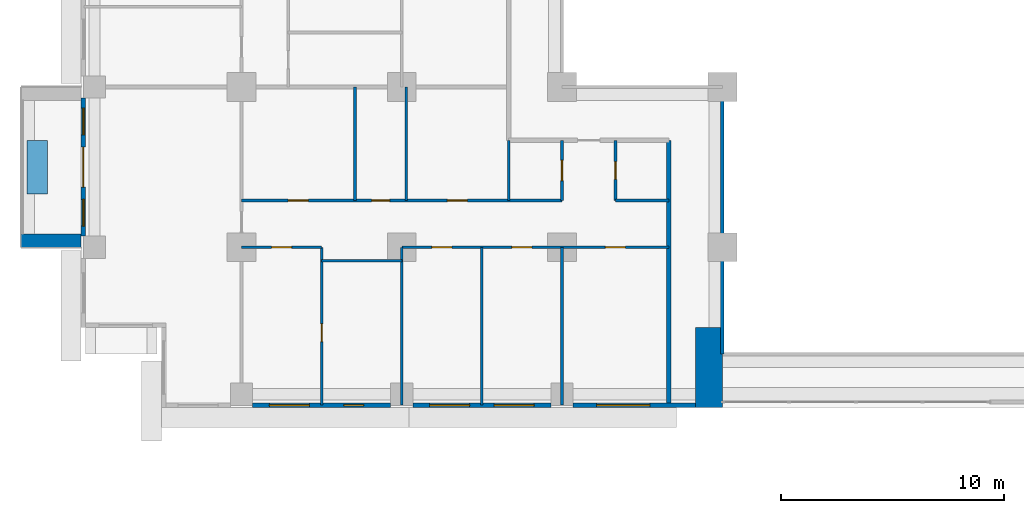
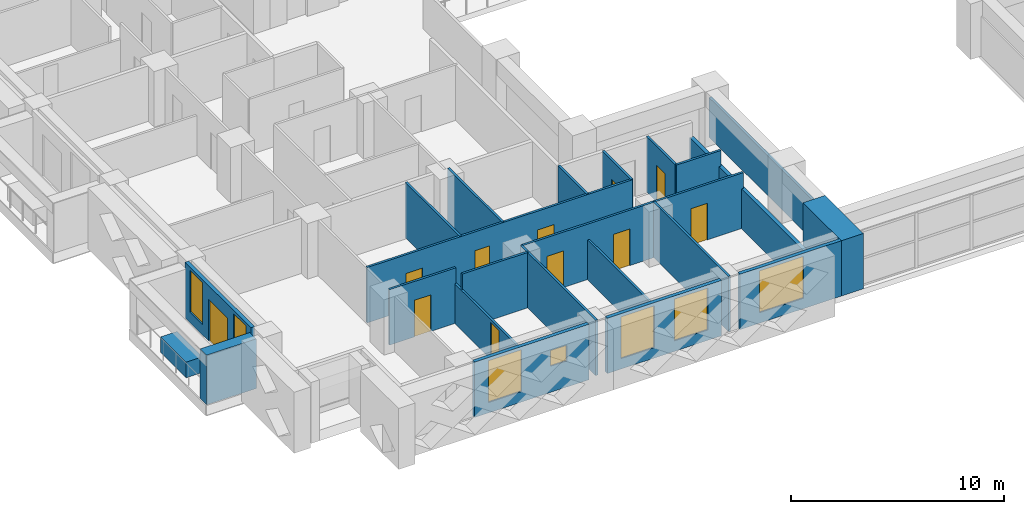
# One storey, part 6 of 16: 23 walls, 11 doors, 7 windows, 18 openings.
"""IFC4 building model written with IfcOpenShell, lengths in metres."""

from ifc_helpers import new_model, si_unit, direction, frame, frame_2d, origin, place, context, subcontext, project, spatial, rectangle, extrude, material, layer, layer_set, type_object, element, fill, save


model = new_model("IFC4")

# Units and contexts
model_context = context("Model", 3, precision=1e-05, world=origin(), true_north=direction((0.0, 1.0)))
body_context = subcontext(model_context, "Body", "Model", "MODEL_VIEW")
ifc_project = project(units=[si_unit("LENGTHUNIT", "METRE"), si_unit("AREAUNIT", "SQUARE_METRE"), si_unit("VOLUMEUNIT", "CUBIC_METRE"), si_unit("PLANEANGLEUNIT", "RADIAN"), si_unit("MASSUNIT", "GRAM", prefix="KILO")], contexts=[model_context])

# Site, building, storey
site_placement = place(None, origin())
site = spatial("IfcSite", under=ifc_project, at=site_placement, CompositionType="ELEMENT")
building_placement = place(site_placement, origin())
building = spatial("IfcBuilding", under=site, at=building_placement, Name="Saffron Iwan Residences", CompositionType="ELEMENT")
storey_placement = place(building_placement, frame((0.0, 0.0, 90.0)))
storey = spatial("IfcBuildingStorey", under=building, at=storey_placement, Name="L23", CompositionType="ELEMENT", Elevation=90.0)

# Walls
ifc_material_1 = material(Name="Fire-rated glazing", Category="glass")
ifc_layer_1 = layer(ifc_material_1, 0.14990234375)
ifc_layer_set_1 = layer_set([ifc_layer_1], Name="Fire-rated glazing")
wall_type_1 = type_object("IfcWallType", Name="Atrium glazed screen 150", PredefinedType="SOLIDWALL", material=ifc_layer_set_1)
wall_1_placement = place(storey_placement, frame((43.199951171875, 36.0, 0.0), z_axis=(0.0, 0.0, 1.0), x_axis=(0.0, 1.0, 0.0)))
element("IfcWall", 1, at=wall_1_placement, inside=storey, type_object=wall_type_1, Name="W-L23-SCREEN-v43.2-36", PredefinedType="SOLIDWALL", context=body_context, shape_type="SweptSolid", body=[
    extrude(rectangle(XDim=12.0, YDim=0.14990234375, at=frame_2d((6.0, 0.0))), origin(), (0.0, 0.0, 1.0), 2.280029296875),
])
ifc_material_2 = material(Name="Concrete C50/60 white painted", Category="concrete")
ifc_layer_2 = layer(ifc_material_2, 0.60009765625)
ifc_layer_set_2 = layer_set([ifc_layer_2], Name="Concrete C50/60 white painted")
wall_type_2 = type_object("IfcWallType", Name="BALCONY FIN 600", PredefinedType="SOLIDWALL", material=ifc_layer_set_2)
wall_2_placement = place(storey_placement, frame((14.39990234375, 41.10009765625, 0.0), z_axis=(0.0, 0.0, 1.0), x_axis=(-1.0, 0.0, 0.0)))
element("IfcWall", 2, at=wall_2_placement, inside=storey, type_object=wall_type_2, Name="Balcony fin L23 F8-1b", PredefinedType="SOLIDWALL", context=body_context, shape_type="SweptSolid", body=[
    extrude(rectangle(XDim=2.699951171875, YDim=0.60009765625, at=frame_2d((1.35009765625, 0.0))), origin(), (0.0, 0.0, 1.0), 2.85009765625),
])
ifc_material_3 = material(Name="Concrete C35/45 white painted", Category="concrete")
ifc_layer_3 = layer(ifc_material_3, 0.14990234375)
ifc_layer_set_3 = layer_set([ifc_layer_3], Name="Concrete C35/45 white painted")
wall_type_3 = type_object("IfcWallType", Name="BALCONY PLANTER", PredefinedType="SOLIDWALL", material=ifc_layer_set_3)
wall_3_placement = place(storey_placement, frame((12.425048828125, 45.60009765625, 0.0), z_axis=(0.0, 0.0, 1.0), x_axis=(0.0, -1.0, 0.0)))
element("IfcWall", 3, at=wall_3_placement, inside=storey, type_object=wall_type_3, Name="PLANTER L23 F8-1", PredefinedType="SOLIDWALL", context=body_context, shape_type="SweptSolid", body=[
    extrude(rectangle(XDim=2.400146484375, YDim=0.89990234375, at=frame_2d((1.2001953125, 0.0))), origin(), (0.0, 0.0, 1.0), 0.89990234375),
])

# Wall, openings, door, windows
ifc_material_4 = material(Name="Concrete C40/50", Category="concrete")
ifc_layer_4 = layer(ifc_material_4, 0.199951171875)
ifc_layer_set_4 = layer_set([ifc_layer_4], Name="Concrete C40/50")
wall_type_4 = type_object("IfcWallType", Name="EXTERNAL WALL 200", PredefinedType="SOLIDWALL", material=ifc_layer_set_4)
wall_4_placement = place(storey_placement, frame((14.5, 47.5, 0.0), z_axis=(0.0, 0.0, 1.0), x_axis=(0.0, -1.0, 0.0)))
wall_4 = element("IfcWall", 4, at=wall_4_placement, inside=storey, type_object=wall_type_4, Name="External wall L23 F8.4", PredefinedType="SOLIDWALL", context=body_context, shape_type="SweptSolid", body=[
    extrude(rectangle(XDim=6.199951171875, YDim=0.199951171875, at=frame_2d((3.10009765625, 0.0))), origin(), (0.0, 0.0, 1.0), 3.179931640625),
])
opening_1_placement = place(wall_4_placement, frame((2.199951171875, 0.0, 0.0)))
opening_1 = element("IfcOpeningElement", 5, at=opening_1_placement, cuts=wall_4, Name="Opening BD1", PredefinedType="OPENING", context=body_context, shape_type="SweptSolid", body=[
    extrude(rectangle(XDim=1.800048828125, YDim=2.39990234375, at=frame_2d((0.89990234375, 1.199951171875))), frame((0.0, 0.10986328125, 0.0), z_axis=(0.0, -1.0, 0.0), x_axis=(1.0, 0.0, 0.0)), (0.0, 0.0, 1.0), 0.219970703125),
])
opening_2_placement = place(wall_4_placement, frame((0.449951171875, 0.0, 0.60009765625)))
opening_2 = element("IfcOpeningElement", 6, at=opening_2_placement, cuts=wall_4, Name="Opening W3", PredefinedType="OPENING", context=body_context, shape_type="SweptSolid", body=[
    extrude(rectangle(XDim=1.199951171875, YDim=2.39990234375, at=frame_2d((0.60009765625, 1.199951171875))), frame((0.0, 0.10986328125, 0.0), z_axis=(0.0, -1.0, 0.0), x_axis=(1.0, 0.0, 0.0)), (0.0, 0.0, 1.0), 0.219970703125),
])
opening_3_placement = place(wall_4_placement, frame((4.550048828125, 0.0, 0.60009765625)))
opening_3 = element("IfcOpeningElement", 7, at=opening_3_placement, cuts=wall_4, Name="Opening W3", PredefinedType="OPENING", context=body_context, shape_type="SweptSolid", body=[
    extrude(rectangle(XDim=1.199951171875, YDim=2.39990234375, at=frame_2d((0.60009765625, 1.199951171875))), frame((0.0, 0.10986328125, 0.0), z_axis=(0.0, -1.0, 0.0), x_axis=(1.0, 0.0, 0.0)), (0.0, 0.0, 1.0), 0.219970703125),
])
ifc_material_5 = material(Name="Clear glass, laminated double glazed", Category="glass")
door_type_1 = type_object("IfcDoorType", Name="BALCONY DOOR 1800 x 2400", OperationType="DOUBLE_DOOR_SLIDING", PredefinedType="DOOR", material=ifc_material_5)
door_1_placement = place(opening_1_placement, origin())
door_1 = element("IfcDoor", 8, at=door_1_placement, inside=storey, type_object=door_type_1, Name="Balcony door L23 F8.0", OperationType="DOUBLE_DOOR_SLIDING", OverallHeight=2.39990234375, OverallWidth=1.800048828125, PredefinedType="DOOR", context=body_context, shape_type="SweptSolid", body=[
    extrude(rectangle(XDim=1.800048828125, YDim=2.39990234375, at=frame_2d((0.89990234375, 1.199951171875))), frame((0.0, 0.02490234375, 0.0), z_axis=(0.0, -1.0, 0.0), x_axis=(1.0, 0.0, 0.0)), (0.0, 0.0, 1.0), 0.050048828125),
])
fill(opening_1, door_1)
window_type_1 = type_object("IfcWindowType", Name="WINDOW 1200 x 2400", PartitioningType="SINGLE_PANEL", PredefinedType="WINDOW", material=ifc_material_5)
window_1_placement = place(opening_2_placement, origin())
window_1 = element("IfcWindow", 9, at=window_1_placement, inside=storey, type_object=window_type_1, Name="Window L23 F8.1", OverallHeight=2.39990234375, OverallWidth=1.199951171875, PartitioningType="SINGLE_PANEL", PredefinedType="WINDOW", context=body_context, shape_type="SweptSolid", body=[
    extrude(rectangle(XDim=1.199951171875, YDim=2.39990234375, at=frame_2d((0.60009765625, 1.199951171875))), frame((0.0, 0.030029296875, 0.0), z_axis=(0.0, -1.0, 0.0), x_axis=(1.0, 0.0, 0.0)), (0.0, 0.0, 1.0), 0.06005859375),
])
fill(opening_2, window_1)
window_2_placement = place(opening_3_placement, origin())
window_2 = element("IfcWindow", 10, at=window_2_placement, inside=storey, type_object=window_type_1, Name="Window L23 F8.2", OverallHeight=2.39990234375, OverallWidth=1.199951171875, PartitioningType="SINGLE_PANEL", PredefinedType="WINDOW", context=body_context, shape_type="SweptSolid", body=[
    extrude(rectangle(XDim=1.199951171875, YDim=2.39990234375, at=frame_2d((0.60009765625, 1.199951171875))), frame((0.0, 0.030029296875, 0.0), z_axis=(0.0, -1.0, 0.0), x_axis=(1.0, 0.0, 0.0)), (0.0, 0.0, 1.0), 0.06005859375),
])
fill(opening_3, window_2)

# Wall, openings, windows
wall_5_placement = place(storey_placement, frame((22.10009765625, 33.699951171875, 0.0), z_axis=(0.0, 0.0, 1.0), x_axis=(1.0, 0.0, 0.0)))
wall_5 = element("IfcWall", 11, at=wall_5_placement, inside=storey, type_object=wall_type_4, Name="External wall L23 F11.1", PredefinedType="SOLIDWALL", context=body_context, shape_type="SweptSolid", body=[
    extrude(rectangle(XDim=6.199951171875, YDim=0.199951171875, at=frame_2d((3.10009765625, 0.0))), origin(), (0.0, 0.0, 1.0), 3.179931640625),
])
opening_4_placement = place(wall_5_placement, frame((0.75, 0.0, 0.60009765625)))
opening_4 = element("IfcOpeningElement", 12, at=opening_4_placement, cuts=wall_5, Name="Opening W8", PredefinedType="OPENING", context=body_context, shape_type="SweptSolid", body=[
    extrude(rectangle(XDim=1.800048828125, YDim=2.39990234375, at=frame_2d((0.89990234375, 1.199951171875))), frame((0.0, 0.10986328125, 0.0), z_axis=(0.0, -1.0, 0.0), x_axis=(1.0, 0.0, 0.0)), (0.0, 0.0, 1.0), 0.219970703125),
])
opening_5_placement = place(wall_5_placement, frame((4.10009765625, 0.0, 1.5)))
opening_5 = element("IfcOpeningElement", 13, at=opening_5_placement, cuts=wall_5, Name="Opening W6", PredefinedType="OPENING", context=body_context, shape_type="SweptSolid", body=[
    extrude(rectangle(XDim=0.89990234375, YDim=0.89990234375, at=frame_2d((0.449951171875, 0.449951171875))), frame((0.0, 0.10986328125, 0.0), z_axis=(0.0, -1.0, 0.0), x_axis=(1.0, 0.0, 0.0)), (0.0, 0.0, 1.0), 0.219970703125),
])
window_type_2 = type_object("IfcWindowType", Name="WINDOW 1800 x 2400", PartitioningType="DOUBLE_PANEL_VERTICAL", PredefinedType="WINDOW", material=ifc_material_5)
window_3_placement = place(opening_4_placement, origin())
window_3 = element("IfcWindow", 14, at=window_3_placement, inside=storey, type_object=window_type_2, Name="Window L23 F11.0", OverallHeight=2.39990234375, OverallWidth=1.800048828125, PartitioningType="DOUBLE_PANEL_VERTICAL", PredefinedType="WINDOW", context=body_context, shape_type="SweptSolid", body=[
    extrude(rectangle(XDim=1.800048828125, YDim=2.39990234375, at=frame_2d((0.89990234375, 1.199951171875))), frame((0.0, 0.030029296875, 0.0), z_axis=(0.0, -1.0, 0.0), x_axis=(1.0, 0.0, 0.0)), (0.0, 0.0, 1.0), 0.06005859375),
])
fill(opening_4, window_3)
window_type_3 = type_object("IfcWindowType", Name="WINDOW 900 x 900 BATH", PartitioningType="SINGLE_PANEL", PredefinedType="WINDOW", material=ifc_material_5)
window_4_placement = place(opening_5_placement, origin())
window_4 = element("IfcWindow", 15, at=window_4_placement, inside=storey, type_object=window_type_3, Name="Window L23 F11.1", OverallHeight=0.89990234375, OverallWidth=0.89990234375, PartitioningType="SINGLE_PANEL", PredefinedType="WINDOW", context=body_context, shape_type="SweptSolid", body=[
    extrude(rectangle(XDim=0.89990234375, YDim=0.89990234375, at=frame_2d((0.449951171875, 0.449951171875))), frame((0.0, 0.030029296875, 0.0), z_axis=(0.0, -1.0, 0.0), x_axis=(1.0, 0.0, 0.0)), (0.0, 0.0, 1.0), 0.06005859375),
])
fill(opening_5, window_4)

wall_6_placement = place(storey_placement, frame((29.300048828125, 33.699951171875, 0.0), z_axis=(0.0, 0.0, 1.0), x_axis=(1.0, 0.0, 0.0)))
wall_6 = element("IfcWall", 16, at=wall_6_placement, inside=storey, type_object=wall_type_4, Name="External wall L23 F11.2", PredefinedType="SOLIDWALL", context=body_context, shape_type="SweptSolid", body=[
    extrude(rectangle(XDim=6.199951171875, YDim=0.199951171875, at=frame_2d((3.10009765625, 0.0))), origin(), (0.0, 0.0, 1.0), 3.179931640625),
])
opening_6_placement = place(wall_6_placement, frame((0.75, 0.0, 0.60009765625)))
opening_6 = element("IfcOpeningElement", 17, at=opening_6_placement, cuts=wall_6, Name="Opening W8", PredefinedType="OPENING", context=body_context, shape_type="SweptSolid", body=[
    extrude(rectangle(XDim=1.800048828125, YDim=2.39990234375, at=frame_2d((0.89990234375, 1.199951171875))), frame((0.0, 0.10986328125, 0.0), z_axis=(0.0, -1.0, 0.0), x_axis=(1.0, 0.0, 0.0)), (0.0, 0.0, 1.0), 0.219970703125),
])
opening_7_placement = place(wall_6_placement, frame((3.64990234375, 0.0, 0.60009765625)))
opening_7 = element("IfcOpeningElement", 18, at=opening_7_placement, cuts=wall_6, Name="Opening W8", PredefinedType="OPENING", context=body_context, shape_type="SweptSolid", body=[
    extrude(rectangle(XDim=1.800048828125, YDim=2.39990234375, at=frame_2d((0.89990234375, 1.199951171875))), frame((0.0, 0.10986328125, 0.0), z_axis=(0.0, -1.0, 0.0), x_axis=(1.0, 0.0, 0.0)), (0.0, 0.0, 1.0), 0.219970703125),
])
window_5_placement = place(opening_6_placement, origin())
window_5 = element("IfcWindow", 19, at=window_5_placement, inside=storey, type_object=window_type_2, Name="Window L23 F11.0", OverallHeight=2.39990234375, OverallWidth=1.800048828125, PartitioningType="DOUBLE_PANEL_VERTICAL", PredefinedType="WINDOW", context=body_context, shape_type="SweptSolid", body=[
    extrude(rectangle(XDim=1.800048828125, YDim=2.39990234375, at=frame_2d((0.89990234375, 1.199951171875))), frame((0.0, 0.030029296875, 0.0), z_axis=(0.0, -1.0, 0.0), x_axis=(1.0, 0.0, 0.0)), (0.0, 0.0, 1.0), 0.06005859375),
])
fill(opening_6, window_5)
window_6_placement = place(opening_7_placement, origin())
window_6 = element("IfcWindow", 20, at=window_6_placement, inside=storey, type_object=window_type_2, Name="Window L23 F11.1", OverallHeight=2.39990234375, OverallWidth=1.800048828125, PartitioningType="DOUBLE_PANEL_VERTICAL", PredefinedType="WINDOW", context=body_context, shape_type="SweptSolid", body=[
    extrude(rectangle(XDim=1.800048828125, YDim=2.39990234375, at=frame_2d((0.89990234375, 1.199951171875))), frame((0.0, 0.030029296875, 0.0), z_axis=(0.0, -1.0, 0.0), x_axis=(1.0, 0.0, 0.0)), (0.0, 0.0, 1.0), 0.06005859375),
])
fill(opening_7, window_6)

# Wall, opening, window
wall_7_placement = place(storey_placement, frame((36.5, 33.699951171875, 0.0), z_axis=(0.0, 0.0, 1.0), x_axis=(1.0, 0.0, 0.0)))
wall_7 = element("IfcWall", 21, at=wall_7_placement, inside=storey, type_object=wall_type_4, Name="External wall L23 F11.3", PredefinedType="SOLIDWALL", context=body_context, shape_type="SweptSolid", body=[
    extrude(rectangle(XDim=5.5, YDim=0.199951171875, at=frame_2d((2.75, 0.0))), origin(), (0.0, 0.0, 1.0), 3.179931640625),
])
opening_8_placement = place(wall_7_placement, frame((1.050048828125, 0.0, 0.60009765625)))
opening_8 = element("IfcOpeningElement", 22, at=opening_8_placement, cuts=wall_7, Name="Opening W1", PredefinedType="OPENING", context=body_context, shape_type="SweptSolid", body=[
    extrude(rectangle(XDim=2.39990234375, YDim=2.39990234375, at=frame_2d((1.199951171875, 1.199951171875))), frame((0.0, 0.10986328125, 0.0), z_axis=(0.0, -1.0, 0.0), x_axis=(1.0, 0.0, 0.0)), (0.0, 0.0, 1.0), 0.219970703125),
])
window_type_4 = type_object("IfcWindowType", Name="WINDOW 2400 x 2400", PartitioningType="DOUBLE_PANEL_VERTICAL", PredefinedType="WINDOW", material=ifc_material_5)
window_7_placement = place(opening_8_placement, origin())
window_7 = element("IfcWindow", 23, at=window_7_placement, inside=storey, type_object=window_type_4, Name="Window L23 F11.0", OverallHeight=2.39990234375, OverallWidth=2.39990234375, PartitioningType="DOUBLE_PANEL_VERTICAL", PredefinedType="WINDOW", context=body_context, shape_type="SweptSolid", body=[
    extrude(rectangle(XDim=2.39990234375, YDim=2.39990234375, at=frame_2d((1.199951171875, 1.199951171875))), frame((0.0, 0.030029296875, 0.0), z_axis=(0.0, -1.0, 0.0), x_axis=(1.0, 0.0, 0.0)), (0.0, 0.0, 1.0), 0.06005859375),
])
fill(opening_8, window_7)

# Wall
ifc_material_6 = material(Name="Gypsum board partition")
ifc_layer_5 = layer(ifc_material_6, 0.1201171875)
ifc_layer_set_5 = layer_set([ifc_layer_5], Name="Gypsum board partition")
wall_type_5 = type_object("IfcWallType", Name="Flat partition 120", PredefinedType="PARTITIONING", material=ifc_layer_set_5)
wall_8_placement = place(storey_placement, frame((25.199951171875, 40.199951171875, 0.0), z_axis=(0.0, 0.0, 1.0), x_axis=(1.0, 0.0, 0.0)))
element("IfcWall", 24, at=wall_8_placement, inside=storey, type_object=wall_type_5, Name="W-L23-PART-h40.2-25.2", PredefinedType="PARTITIONING", context=body_context, shape_type="SweptSolid", body=[
    extrude(rectangle(XDim=3.60009765625, YDim=0.1201171875, at=frame_2d((1.800048828125, 0.0))), origin(), (0.0, 0.0, 1.0), 3.179931640625),
])

# Wall, opening, door
wall_9_placement = place(storey_placement, frame((21.60009765625, 40.800048828125, 0.0), z_axis=(0.0, 0.0, 1.0), x_axis=(1.0, 0.0, 0.0)))
wall_9 = element("IfcWall", 25, at=wall_9_placement, inside=storey, type_object=wall_type_5, Name="W-L23-PART-h40.8-21.6", PredefinedType="PARTITIONING", context=body_context, shape_type="SweptSolid", body=[
    extrude(rectangle(XDim=3.599853515625, YDim=0.1201171875, at=frame_2d((1.7998046875, 0.0))), origin(), (0.0, 0.0, 1.0), 3.179931640625),
])
opening_9_placement = place(wall_9_placement, frame((1.35009765625, 0.0, 0.0)))
opening_9 = element("IfcOpeningElement", 26, at=opening_9_placement, cuts=wall_9, Name="Opening FD2", PredefinedType="OPENING", context=body_context, shape_type="SweptSolid", body=[
    extrude(rectangle(XDim=0.89990234375, YDim=2.10009765625, at=frame_2d((0.449951171875, 1.050048828125))), frame((0.0, 0.070068359375, 0.0), z_axis=(0.0, -1.0, 0.0), x_axis=(1.0, 0.0, 0.0)), (0.0, 0.0, 1.0), 0.14013671875),
])
ifc_material_7 = material(Name="Timber door", Category="wood")
door_type_2 = type_object("IfcDoorType", Name="Flat door 900", OperationType="NOTDEFINED", PredefinedType="DOOR", material=ifc_material_7)
door_2_placement = place(opening_9_placement, origin())
door_2 = element("IfcDoor", 27, at=door_2_placement, inside=storey, type_object=door_type_2, Name="Door L23-003", OperationType="SINGLE_SWING_LEFT", OverallHeight=2.10009765625, OverallWidth=0.89990234375, PredefinedType="DOOR", context=body_context, shape_type="SweptSolid", body=[
    extrude(rectangle(XDim=0.89990234375, YDim=2.10009765625, at=frame_2d((0.449951171875, 1.050048828125))), frame((0.0, 0.02490234375, 0.0), z_axis=(0.0, -1.0, 0.0), x_axis=(1.0, 0.0, 0.0)), (0.0, 0.0, 1.0), 0.050048828125),
])
fill(opening_9, door_2)

# Wall, openings, doors
wall_10_placement = place(storey_placement, frame((28.800048828125, 40.800048828125, 0.0), z_axis=(0.0, 0.0, 1.0), x_axis=(1.0, 0.0, 0.0)))
wall_10 = element("IfcWall", 28, at=wall_10_placement, inside=storey, type_object=wall_type_5, Name="W-L23-PART-h40.8-28.8", PredefinedType="PARTITIONING", context=body_context, shape_type="SweptSolid", body=[
    extrude(rectangle(XDim=12.0, YDim=0.1201171875, at=frame_2d((6.0, 0.0))), origin(), (0.0, 0.0, 1.0), 3.179931640625),
])
opening_10_placement = place(wall_10_placement, frame((1.35009765625, 0.0, 0.0)))
opening_10 = element("IfcOpeningElement", 29, at=opening_10_placement, cuts=wall_10, Name="Opening FD2", PredefinedType="OPENING", context=body_context, shape_type="SweptSolid", body=[
    extrude(rectangle(XDim=0.89990234375, YDim=2.10009765625, at=frame_2d((0.449951171875, 1.050048828125))), frame((0.0, 0.070068359375, 0.0), z_axis=(0.0, -1.0, 0.0), x_axis=(1.0, 0.0, 0.0)), (0.0, 0.0, 1.0), 0.14013671875),
])
opening_11_placement = place(wall_10_placement, frame((4.949951171875, 0.0, 0.0)))
opening_11 = element("IfcOpeningElement", 30, at=opening_11_placement, cuts=wall_10, Name="Opening FD2", PredefinedType="OPENING", context=body_context, shape_type="SweptSolid", body=[
    extrude(rectangle(XDim=0.89990234375, YDim=2.10009765625, at=frame_2d((0.449951171875, 1.050048828125))), frame((0.0, 0.070068359375, 0.0), z_axis=(0.0, -1.0, 0.0), x_axis=(1.0, 0.0, 0.0)), (0.0, 0.0, 1.0), 0.14013671875),
])
opening_12_placement = place(wall_10_placement, frame((9.14990234375, 0.0, 0.0)))
opening_12 = element("IfcOpeningElement", 31, at=opening_12_placement, cuts=wall_10, Name="Opening FD2", PredefinedType="OPENING", context=body_context, shape_type="SweptSolid", body=[
    extrude(rectangle(XDim=0.89990234375, YDim=2.10009765625, at=frame_2d((0.449951171875, 1.050048828125))), frame((0.0, 0.070068359375, 0.0), z_axis=(0.0, -1.0, 0.0), x_axis=(1.0, 0.0, 0.0)), (0.0, 0.0, 1.0), 0.14013671875),
])
door_3_placement = place(opening_10_placement, origin())
door_3 = element("IfcDoor", 32, at=door_3_placement, inside=storey, type_object=door_type_2, Name="Door L23-005", OperationType="SINGLE_SWING_RIGHT", OverallHeight=2.10009765625, OverallWidth=0.89990234375, PredefinedType="DOOR", context=body_context, shape_type="SweptSolid", body=[
    extrude(rectangle(XDim=0.89990234375, YDim=2.10009765625, at=frame_2d((0.449951171875, 1.050048828125))), frame((0.0, 0.02490234375, 0.0), z_axis=(0.0, -1.0, 0.0), x_axis=(1.0, 0.0, 0.0)), (0.0, 0.0, 1.0), 0.050048828125),
])
fill(opening_10, door_3)
door_4_placement = place(opening_11_placement, origin())
door_4 = element("IfcDoor", 33, at=door_4_placement, inside=storey, type_object=door_type_2, Name="Door L23-006", OperationType="SINGLE_SWING_LEFT", OverallHeight=2.10009765625, OverallWidth=0.89990234375, PredefinedType="DOOR", context=body_context, shape_type="SweptSolid", body=[
    extrude(rectangle(XDim=0.89990234375, YDim=2.10009765625, at=frame_2d((0.449951171875, 1.050048828125))), frame((0.0, 0.02490234375, 0.0), z_axis=(0.0, -1.0, 0.0), x_axis=(1.0, 0.0, 0.0)), (0.0, 0.0, 1.0), 0.050048828125),
])
fill(opening_11, door_4)
door_5_placement = place(opening_12_placement, origin())
door_5 = element("IfcDoor", 34, at=door_5_placement, inside=storey, type_object=door_type_2, Name="Door L23-007", OperationType="SINGLE_SWING_LEFT", OverallHeight=2.10009765625, OverallWidth=0.89990234375, PredefinedType="DOOR", context=body_context, shape_type="SweptSolid", body=[
    extrude(rectangle(XDim=0.89990234375, YDim=2.10009765625, at=frame_2d((0.449951171875, 1.050048828125))), frame((0.0, 0.02490234375, 0.0), z_axis=(0.0, -1.0, 0.0), x_axis=(1.0, 0.0, 0.0)), (0.0, 0.0, 1.0), 0.050048828125),
])
fill(opening_12, door_5)

wall_11_placement = place(storey_placement, frame((21.60009765625, 42.89990234375, 0.0), z_axis=(0.0, 0.0, 1.0), x_axis=(1.0, 0.0, 0.0)))
wall_11 = element("IfcWall", 35, at=wall_11_placement, inside=storey, type_object=wall_type_5, Name="W-L23-PART-h42.9-21.6", PredefinedType="PARTITIONING", context=body_context, shape_type="SweptSolid", body=[
    extrude(rectangle(XDim=14.39990234375, YDim=0.1201171875, at=frame_2d((7.199951171875, 0.0))), origin(), (0.0, 0.0, 1.0), 3.179931640625),
])
opening_13_placement = place(wall_11_placement, frame((2.10009765625, 0.0, 0.0)))
opening_13 = element("IfcOpeningElement", 36, at=opening_13_placement, cuts=wall_11, Name="Opening FD2", PredefinedType="OPENING", context=body_context, shape_type="SweptSolid", body=[
    extrude(rectangle(XDim=0.89990234375, YDim=2.10009765625, at=frame_2d((0.449951171875, 1.050048828125))), frame((0.0, 0.070068359375, 0.0), z_axis=(0.0, -1.0, 0.0), x_axis=(1.0, 0.0, 0.0)), (0.0, 0.0, 1.0), 0.14013671875),
])
opening_14_placement = place(wall_11_placement, frame((5.85009765625, 0.0, 0.0)))
opening_14 = element("IfcOpeningElement", 37, at=opening_14_placement, cuts=wall_11, Name="Opening FD3", PredefinedType="OPENING", context=body_context, shape_type="SweptSolid", body=[
    extrude(rectangle(XDim=0.800048828125, YDim=2.10009765625, at=frame_2d((0.39990234375, 1.050048828125))), frame((0.0, 0.070068359375, 0.0), z_axis=(0.0, -1.0, 0.0), x_axis=(1.0, 0.0, 0.0)), (0.0, 0.0, 1.0), 0.14013671875),
])
opening_15_placement = place(wall_11_placement, frame((9.25, 0.0, 0.0)))
opening_15 = element("IfcOpeningElement", 38, at=opening_15_placement, cuts=wall_11, Name="Opening FD2", PredefinedType="OPENING", context=body_context, shape_type="SweptSolid", body=[
    extrude(rectangle(XDim=0.89990234375, YDim=2.10009765625, at=frame_2d((0.449951171875, 1.050048828125))), frame((0.0, 0.070068359375, 0.0), z_axis=(0.0, -1.0, 0.0), x_axis=(1.0, 0.0, 0.0)), (0.0, 0.0, 1.0), 0.14013671875),
])
door_type_3 = type_object("IfcDoorType", Name="Bathroom door 800", OperationType="NOTDEFINED", PredefinedType="DOOR", material=ifc_material_7)
door_6_placement = place(opening_14_placement, origin())
door_6 = element("IfcDoor", 39, at=door_6_placement, inside=storey, type_object=door_type_3, Name="Door L23-009", OperationType="SINGLE_SWING_LEFT", OverallHeight=2.10009765625, OverallWidth=0.800048828125, PredefinedType="DOOR", context=body_context, shape_type="SweptSolid", body=[
    extrude(rectangle(XDim=0.800048828125, YDim=2.10009765625, at=frame_2d((0.39990234375, 1.050048828125))), frame((0.0, 0.02490234375, 0.0), z_axis=(0.0, -1.0, 0.0), x_axis=(1.0, 0.0, 0.0)), (0.0, 0.0, 1.0), 0.050048828125),
])
fill(opening_14, door_6)
door_7_placement = place(opening_13_placement, origin())
door_7 = element("IfcDoor", 40, at=door_7_placement, inside=storey, type_object=door_type_2, Name="Door L23-008", OperationType="SINGLE_SWING_RIGHT", OverallHeight=2.10009765625, OverallWidth=0.89990234375, PredefinedType="DOOR", context=body_context, shape_type="SweptSolid", body=[
    extrude(rectangle(XDim=0.89990234375, YDim=2.10009765625, at=frame_2d((0.449951171875, 1.050048828125))), frame((0.0, 0.02490234375, 0.0), z_axis=(0.0, -1.0, 0.0), x_axis=(1.0, 0.0, 0.0)), (0.0, 0.0, 1.0), 0.050048828125),
])
fill(opening_13, door_7)
door_8_placement = place(opening_15_placement, origin())
door_8 = element("IfcDoor", 41, at=door_8_placement, inside=storey, type_object=door_type_2, Name="Door L23-010", OperationType="SINGLE_SWING_LEFT", OverallHeight=2.10009765625, OverallWidth=0.89990234375, PredefinedType="DOOR", context=body_context, shape_type="SweptSolid", body=[
    extrude(rectangle(XDim=0.89990234375, YDim=2.10009765625, at=frame_2d((0.449951171875, 1.050048828125))), frame((0.0, 0.02490234375, 0.0), z_axis=(0.0, -1.0, 0.0), x_axis=(1.0, 0.0, 0.0)), (0.0, 0.0, 1.0), 0.050048828125),
])
fill(opening_15, door_8)

# Wall
wall_12_placement = place(storey_placement, frame((38.39990234375, 42.89990234375, 0.0), z_axis=(0.0, 0.0, 1.0), x_axis=(1.0, 0.0, 0.0)))
element("IfcWall", 42, at=wall_12_placement, inside=storey, type_object=wall_type_5, Name="W-L23-PART-h42.9-38.4", PredefinedType="PARTITIONING", context=body_context, shape_type="SweptSolid", body=[
    extrude(rectangle(XDim=2.400146484375, YDim=0.1201171875, at=frame_2d((1.2001953125, 0.0))), origin(), (0.0, 0.0, 1.0), 3.179931640625),
])

# Wall, opening, door
wall_13_placement = place(storey_placement, frame((25.199951171875, 33.72509765625, 0.0), z_axis=(0.0, 0.0, 1.0), x_axis=(0.0, 1.0, 0.0)))
wall_13 = element("IfcWall", 43, at=wall_13_placement, inside=storey, type_object=wall_type_5, Name="W-L23-PART-v25.2-33.725", PredefinedType="PARTITIONING", context=body_context, shape_type="SweptSolid", body=[
    extrude(rectangle(XDim=7.074951171875, YDim=0.1201171875, at=frame_2d((3.53759765625, 0.0))), origin(), (0.0, 0.0, 1.0), 2.280029296875),
])
opening_16_placement = place(wall_13_placement, frame((2.83740234375, 0.0, 0.0)))
opening_16 = element("IfcOpeningElement", 44, at=opening_16_placement, cuts=wall_13, Name="Opening FD3", PredefinedType="OPENING", context=body_context, shape_type="SweptSolid", body=[
    extrude(rectangle(XDim=0.800048828125, YDim=2.10009765625, at=frame_2d((0.39990234375, 1.050048828125))), frame((0.0, 0.070068359375, 0.0), z_axis=(0.0, -1.0, 0.0), x_axis=(1.0, 0.0, 0.0)), (0.0, 0.0, 1.0), 0.14013671875),
])
door_9_placement = place(opening_16_placement, origin())
door_9 = element("IfcDoor", 45, at=door_9_placement, inside=storey, type_object=door_type_3, Name="Door L23-004", OperationType="SINGLE_SWING_LEFT", OverallHeight=2.10009765625, OverallWidth=0.800048828125, PredefinedType="DOOR", context=body_context, shape_type="SweptSolid", body=[
    extrude(rectangle(XDim=0.800048828125, YDim=2.10009765625, at=frame_2d((0.39990234375, 1.050048828125))), frame((0.0, 0.02490234375, 0.0), z_axis=(0.0, -1.0, 0.0), x_axis=(1.0, 0.0, 0.0)), (0.0, 0.0, 1.0), 0.050048828125),
])
fill(opening_16, door_9)

# Walls
wall_14_placement = place(storey_placement, frame((26.699951171875, 42.89990234375, 0.0), z_axis=(0.0, 0.0, 1.0), x_axis=(0.0, 1.0, 0.0)))
element("IfcWall", 46, at=wall_14_placement, inside=storey, type_object=wall_type_5, Name="W-L23-PART-v26.7-42.9", PredefinedType="PARTITIONING", context=body_context, shape_type="SweptSolid", body=[
    extrude(rectangle(XDim=5.10009765625, YDim=0.1201171875, at=frame_2d((2.550048828125, 0.0))), origin(), (0.0, 0.0, 1.0), 3.179931640625),
])
wall_15_placement = place(storey_placement, frame((28.800048828125, 33.72509765625, 0.0), z_axis=(0.0, 0.0, 1.0), x_axis=(0.0, 1.0, 0.0)))
element("IfcWall", 47, at=wall_15_placement, inside=storey, type_object=wall_type_5, Name="W-L23-PART-v28.8-33.725", PredefinedType="PARTITIONING", context=body_context, shape_type="SweptSolid", body=[
    extrude(rectangle(XDim=7.074951171875, YDim=0.1201171875, at=frame_2d((3.53759765625, 0.0))), origin(), (0.0, 0.0, 1.0), 3.179931640625),
])
wall_16_placement = place(storey_placement, frame((29.0, 42.89990234375, 0.0), z_axis=(0.0, 0.0, 1.0), x_axis=(0.0, 1.0, 0.0)))
element("IfcWall", 48, at=wall_16_placement, inside=storey, type_object=wall_type_5, Name="W-L23-PART-v29-42.9", PredefinedType="PARTITIONING", context=body_context, shape_type="SweptSolid", body=[
    extrude(rectangle(XDim=5.10009765625, YDim=0.1201171875, at=frame_2d((2.550048828125, 0.0))), origin(), (0.0, 0.0, 1.0), 3.179931640625),
])
wall_17_placement = place(storey_placement, frame((32.39990234375, 33.72509765625, 0.0), z_axis=(0.0, 0.0, 1.0), x_axis=(0.0, 1.0, 0.0)))
element("IfcWall", 49, at=wall_17_placement, inside=storey, type_object=wall_type_5, Name="W-L23-PART-v32.4-33.725", PredefinedType="PARTITIONING", context=body_context, shape_type="SweptSolid", body=[
    extrude(rectangle(XDim=7.074951171875, YDim=0.1201171875, at=frame_2d((3.53759765625, 0.0))), origin(), (0.0, 0.0, 1.0), 2.280029296875),
])
wall_18_placement = place(storey_placement, frame((33.60009765625, 42.89990234375, 0.0), z_axis=(0.0, 0.0, 1.0), x_axis=(0.0, 1.0, 0.0)))
element("IfcWall", 50, at=wall_18_placement, inside=storey, type_object=wall_type_5, Name="W-L23-PART-v33.6-42.9", PredefinedType="PARTITIONING", context=body_context, shape_type="SweptSolid", body=[
    extrude(rectangle(XDim=2.7001953125, YDim=0.1201171875, at=frame_2d((1.35009765625, 0.0))), origin(), (0.0, 0.0, 1.0), 3.179931640625),
])
wall_19_placement = place(storey_placement, frame((36.0, 33.72509765625, 0.0), z_axis=(0.0, 0.0, 1.0), x_axis=(0.0, 1.0, 0.0)))
element("IfcWall", 51, at=wall_19_placement, inside=storey, type_object=wall_type_5, Name="W-L23-PART-v36-33.725", PredefinedType="PARTITIONING", context=body_context, shape_type="SweptSolid", body=[
    extrude(rectangle(XDim=7.074951171875, YDim=0.1201171875, at=frame_2d((3.53759765625, 0.0))), origin(), (0.0, 0.0, 1.0), 3.179931640625),
])

# Wall, opening, door
wall_20_placement = place(storey_placement, frame((36.0, 42.89990234375, 0.0), z_axis=(0.0, 0.0, 1.0), x_axis=(0.0, 1.0, 0.0)))
wall_20 = element("IfcWall", 52, at=wall_20_placement, inside=storey, type_object=wall_type_5, Name="W-L23-PART-v36-42.9", PredefinedType="PARTITIONING", context=body_context, shape_type="SweptSolid", body=[
    extrude(rectangle(XDim=2.7001953125, YDim=0.1201171875, at=frame_2d((1.35009765625, 0.0))), origin(), (0.0, 0.0, 1.0), 3.179931640625),
])
opening_17_placement = place(wall_20_placement, frame((0.89990234375, 0.0, 0.0)))
opening_17 = element("IfcOpeningElement", 53, at=opening_17_placement, cuts=wall_20, Name="Opening FD2", PredefinedType="OPENING", context=body_context, shape_type="SweptSolid", body=[
    extrude(rectangle(XDim=0.89990234375, YDim=2.10009765625, at=frame_2d((0.449951171875, 1.050048828125))), frame((0.0, 0.070068359375, 0.0), z_axis=(0.0, -1.0, 0.0), x_axis=(1.0, 0.0, 0.0)), (0.0, 0.0, 1.0), 0.14013671875),
])
door_10_placement = place(opening_17_placement, origin())
door_10 = element("IfcDoor", 54, at=door_10_placement, inside=storey, type_object=door_type_2, Name="Door L23-011", OperationType="SINGLE_SWING_RIGHT", OverallHeight=2.10009765625, OverallWidth=0.89990234375, PredefinedType="DOOR", context=body_context, shape_type="SweptSolid", body=[
    extrude(rectangle(XDim=0.89990234375, YDim=2.10009765625, at=frame_2d((0.449951171875, 1.050048828125))), frame((0.0, 0.02490234375, 0.0), z_axis=(0.0, -1.0, 0.0), x_axis=(1.0, 0.0, 0.0)), (0.0, 0.0, 1.0), 0.050048828125),
])
fill(opening_17, door_10)

wall_21_placement = place(storey_placement, frame((38.39990234375, 42.89990234375, 0.0), z_axis=(0.0, 0.0, 1.0), x_axis=(0.0, 1.0, 0.0)))
wall_21 = element("IfcWall", 55, at=wall_21_placement, inside=storey, type_object=wall_type_5, Name="W-L23-PART-v38.4-42.9", PredefinedType="PARTITIONING", context=body_context, shape_type="SweptSolid", body=[
    extrude(rectangle(XDim=2.7001953125, YDim=0.1201171875, at=frame_2d((1.35009765625, 0.0))), origin(), (0.0, 0.0, 1.0), 3.179931640625),
])
opening_18_placement = place(wall_21_placement, frame((0.949951171875, 0.0, 0.0)))
opening_18 = element("IfcOpeningElement", 56, at=opening_18_placement, cuts=wall_21, Name="Opening FD3", PredefinedType="OPENING", context=body_context, shape_type="SweptSolid", body=[
    extrude(rectangle(XDim=0.800048828125, YDim=2.10009765625, at=frame_2d((0.39990234375, 1.050048828125))), frame((0.0, 0.070068359375, 0.0), z_axis=(0.0, -1.0, 0.0), x_axis=(1.0, 0.0, 0.0)), (0.0, 0.0, 1.0), 0.14013671875),
])
door_11_placement = place(opening_18_placement, origin())
door_11 = element("IfcDoor", 57, at=door_11_placement, inside=storey, type_object=door_type_3, Name="Door L23-012", OperationType="SINGLE_SWING_LEFT", OverallHeight=2.10009765625, OverallWidth=0.800048828125, PredefinedType="DOOR", context=body_context, shape_type="SweptSolid", body=[
    extrude(rectangle(XDim=0.800048828125, YDim=2.10009765625, at=frame_2d((0.39990234375, 1.050048828125))), frame((0.0, 0.02490234375, 0.0), z_axis=(0.0, -1.0, 0.0), x_axis=(1.0, 0.0, 0.0)), (0.0, 0.0, 1.0), 0.050048828125),
])
fill(opening_18, door_11)

# Walls
ifc_material_8 = material(Name="Fire-rated gypsum board wall")
ifc_layer_6 = layer(ifc_material_8, 0.199951171875)
ifc_layer_set_6 = layer_set([ifc_layer_6], Name="Fire-rated gypsum board wall")
wall_type_6 = type_object("IfcWallType", Name="Gallery wall 200", PredefinedType="SOLIDWALL", material=ifc_layer_set_6)
wall_22_placement = place(storey_placement, frame((40.800048828125, 33.72509765625, 0.0), z_axis=(0.0, 0.0, 1.0), x_axis=(0.0, 1.0, 0.0)))
element("IfcWall", 58, at=wall_22_placement, inside=storey, type_object=wall_type_6, Name="W-L23-CORR-v40.8-33.725", PredefinedType="SOLIDWALL", context=body_context, shape_type="SweptSolid", body=[
    extrude(rectangle(XDim=11.875, YDim=0.199951171875, at=frame_2d((5.9375, 0.0))), origin(), (0.0, 0.0, 1.0), 2.280029296875),
])
ifc_material_9 = material(Name="Concrete C60/75", Category="concrete")
ifc_layer_7 = layer(ifc_material_9, 1.199951171875)
ifc_layer_set_7 = layer_set([ifc_layer_7], Name="Concrete C60/75")
wall_type_7 = type_object("IfcWallType", Name="WALL IWAN PIER 1200 C60/75 3180 HIGH", PredefinedType="SHEAR", material=ifc_layer_set_7)
wall_23_placement = place(storey_placement, frame((42.60009765625, 33.60009765625, 0.0), z_axis=(0.0, 0.0, 1.0), x_axis=(0.0, 1.0, 0.0)))
element("IfcWall", 59, at=wall_23_placement, inside=storey, type_object=wall_type_7, Name="IWAN PIER", PredefinedType="SHEAR", context=body_context, shape_type="SweptSolid", body=[
    extrude(rectangle(XDim=3.599853515625, YDim=1.199951171875, at=frame_2d((1.7998046875, 0.0))), origin(), (0.0, 0.0, 1.0), 3.179931640625),
])

save(model, "model.ifc")
